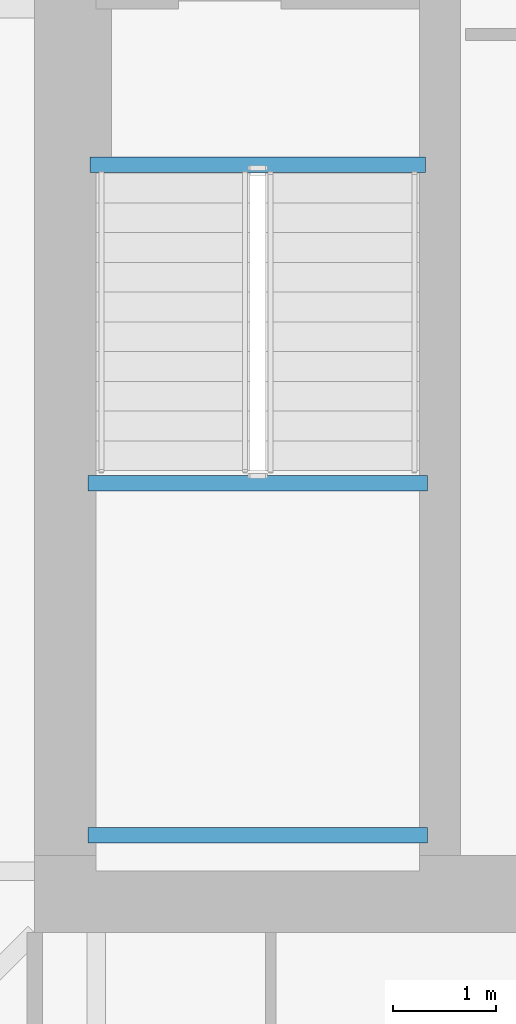
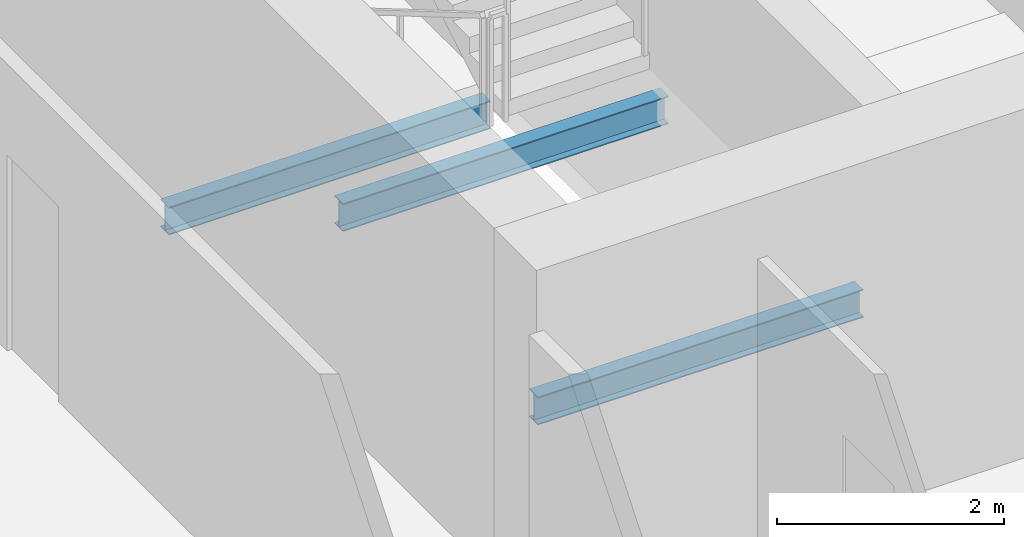
# One storey, part 7 of 25: 3 beams.
"""IFC4 building model written with IfcOpenShell, lengths in metres."""

from ifc_helpers import new_model, si_unit, direction, frame, origin, origin_2d, place, context, subcontext, project, spatial, i_section, extrude, material, material_profile, profile_set, type_object, element, save


model = new_model("IFC4")

# Units and contexts
model_context = context("Model", 3, precision=1e-05, world=origin(), true_north=direction((0.0, 1.0)))
body_context = subcontext(model_context, "Body", "Model", "MODEL_VIEW")
ifc_project = project(units=[si_unit("LENGTHUNIT", "METRE"), si_unit("AREAUNIT", "SQUARE_METRE"), si_unit("VOLUMEUNIT", "CUBIC_METRE"), si_unit("PLANEANGLEUNIT", "RADIAN"), si_unit("MASSUNIT", "GRAM", prefix="KILO")], contexts=[model_context])

# Site, building, storey
site_placement = place(None, origin())
site = spatial("IfcSite", under=ifc_project, at=site_placement, CompositionType="ELEMENT")
building_placement = place(site_placement, origin())
building = spatial("IfcBuilding", under=site, at=building_placement, Name="Belovzor Exchange Tower", CompositionType="ELEMENT")
storey_placement = place(building_placement, frame((0.0, 0.0, 265.35009765625)))
storey = spatial("IfcBuildingStorey", under=building, at=storey_placement, Name="L66", CompositionType="ELEMENT", Elevation=265.35009765625)

# Beams
ifc_material = material(Name="Steel S355", Category="steel")
ifc_material_profile = material_profile(ifc_material, i_section(OverallWidth=0.14990234375, OverallDepth=0.300048828125, WebThickness=0.007080078125, FlangeThickness=0.0107421875, at=origin_2d()))
ifc_profile_set = profile_set([ifc_material_profile], Name="Steel S355")
beam_type = type_object("IfcBeamType", Name="Secondary Trim Floor Joist IPE 300", PredefinedType="BEAM", material=ifc_profile_set)
for number, where, z_axis, x_axis, name in (
    (1, (20.320068359375, 24.179931640625, 1.52490234375), (1.0, 0.0, 0.0), (0.0, 1.0, 0.0), "FJ-300 Secondary Trim Floor Joist IPE 300"),
    (2, (20.320068359375, 20.75, 1.52490234375), (1.0, 0.0, 0.0), (0.0, 1.0, 0.0), "FJ-300 Secondary Trim Floor Joist IPE 300"),
):
    element("IfcBeam", number, at=place(storey_placement, frame(where, z_axis=z_axis, x_axis=x_axis)), inside=storey, type_object=beam_type, Name=name, PredefinedType="BEAM", context=body_context, shape_type="SweptSolid", body=[
        extrude(i_section(OverallWidth=0.14990234375, OverallDepth=0.300048828125, WebThickness=0.007080078125, FlangeThickness=0.0107421875, at=origin_2d()), origin(), (0.0, 0.0, 1.0), 3.309814453125),
    ])
beam_placement = place(storey_placement, frame((20.340087890625, 27.280029296875, -0.400146484375), z_axis=(1.0, 0.0, 0.0), x_axis=(0.0, 1.0, 0.0)))
element("IfcBeam", 3, at=beam_placement, inside=storey, type_object=beam_type, Name="FJ-300 Secondary Trim Floor Joist IPE 300", PredefinedType="BEAM", context=body_context, shape_type="SweptSolid", body=[
    extrude(i_section(OverallWidth=0.14990234375, OverallDepth=0.300048828125, WebThickness=0.007080078125, FlangeThickness=0.0107421875, at=origin_2d()), origin(), (0.0, 0.0, 1.0), 3.27001953125),
])

save(model, "model.ifc")
